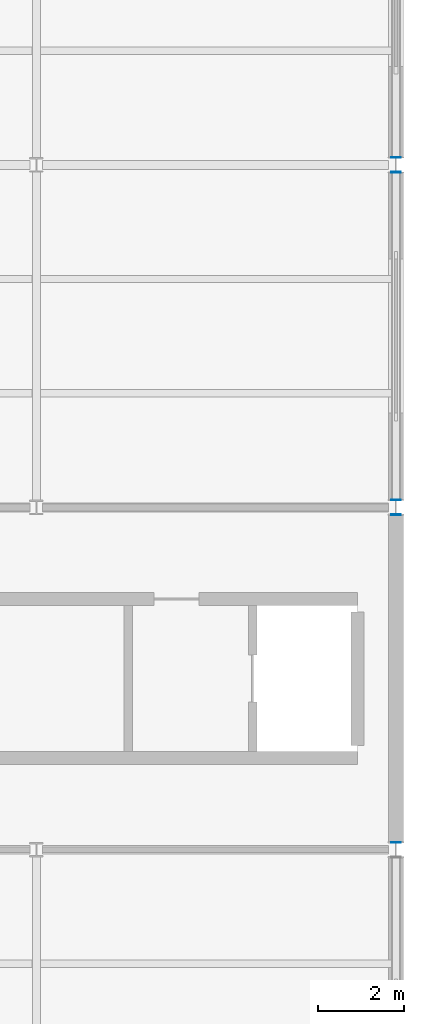
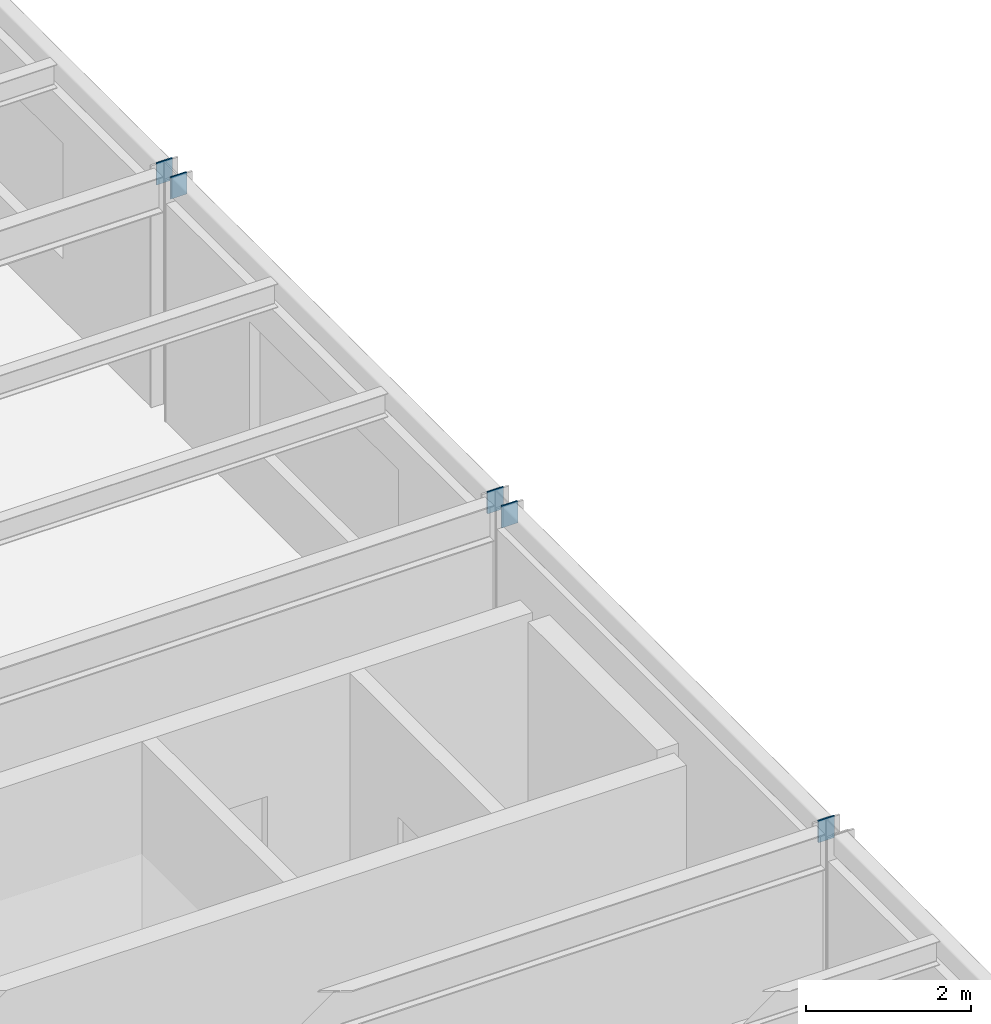
# One storey, part 85 of 96: 5 discrete accessories.
"""IFC4 building model written with IfcOpenShell, lengths in metres."""

from ifc_helpers import new_model, si_unit, direction, frame, origin, origin_2d, place, context, subcontext, project, spatial, rectangle, extrude, material, layer, layer_set, type_object, element, save


model = new_model("IFC4")

# Units and contexts
model_context = context("Model", 3, precision=1e-05, world=origin(), true_north=direction((0.0, 1.0)))
body_context = subcontext(model_context, "Body", "Model", "MODEL_VIEW")
ifc_project = project(units=[si_unit("LENGTHUNIT", "METRE"), si_unit("AREAUNIT", "SQUARE_METRE"), si_unit("VOLUMEUNIT", "CUBIC_METRE"), si_unit("PLANEANGLEUNIT", "RADIAN"), si_unit("MASSUNIT", "GRAM", prefix="KILO")], contexts=[model_context])

# Site, building, storey
site_placement = place(None, origin())
site = spatial("IfcSite", under=ifc_project, at=site_placement, CompositionType="ELEMENT")
building_placement = place(site_placement, origin())
building = spatial("IfcBuilding", under=site, at=building_placement, Name="Kranzveld Transit Interchange", CompositionType="ELEMENT")
storey_placement = place(building_placement, frame((0.0, 0.0, 9.52001953125)))
storey = spatial("IfcBuildingStorey", under=building, at=storey_placement, Name="L02", CompositionType="ELEMENT", Elevation=9.52001953125)

# Discrete accessories
ifc_material = material(Name="Steel S355JR", Category="steel")
ifc_layer = layer(ifc_material, 0.02001953125)
ifc_layer_set = layer_set([ifc_layer], Name="Steel S355JR")
discrete_accessory_type = type_object("IfcDiscreteAccessoryType", Name="Hollow Section End Cap Bracket 20 S355JR", PredefinedType="BRACKET", material=ifc_layer_set)
for number, where, z_axis, x_axis, name in (
    (1, (168.0, 72.181396484375, 3.419921875), (0.0, -1.0, 0.0), (1.0, 0.0, 0.0), "Hollow Section End Cap SP-RHS300-1"),
    (2, (168.0, 79.818603515625, 3.419921875), (0.0, 1.0, 0.0), (-1.0, 0.0, 0.0), "Hollow Section End Cap SP-RHS300-2"),
    (3, (168.0, 80.181396484375, 3.419921875), (0.0, -1.0, 0.0), (1.0, 0.0, 0.0), "Hollow Section End Cap SP-RHS300-1"),
    (4, (168.0, 87.818603515625, 3.419921875), (0.0, 1.0, 0.0), (-1.0, 0.0, 0.0), "Hollow Section End Cap SP-RHS300-2"),
    (5, (168.0, 88.181396484375, 3.419921875), (0.0, -1.0, 0.0), (1.0, 0.0, 0.0), "Hollow Section End Cap SP-RHS300-1"),
):
    element("IfcDiscreteAccessory", number, at=place(storey_placement, frame(where, z_axis=z_axis, x_axis=x_axis)), inside=storey, type_object=discrete_accessory_type, Name=name, PredefinedType="BRACKET", context=body_context, shape_type="SweptSolid", body=[
        extrude(rectangle(XDim=0.22412109375, YDim=0.323974609375, at=origin_2d()), origin(), (0.0, 0.0, 1.0), 0.02001953125),
    ])

save(model, "model.ifc")
